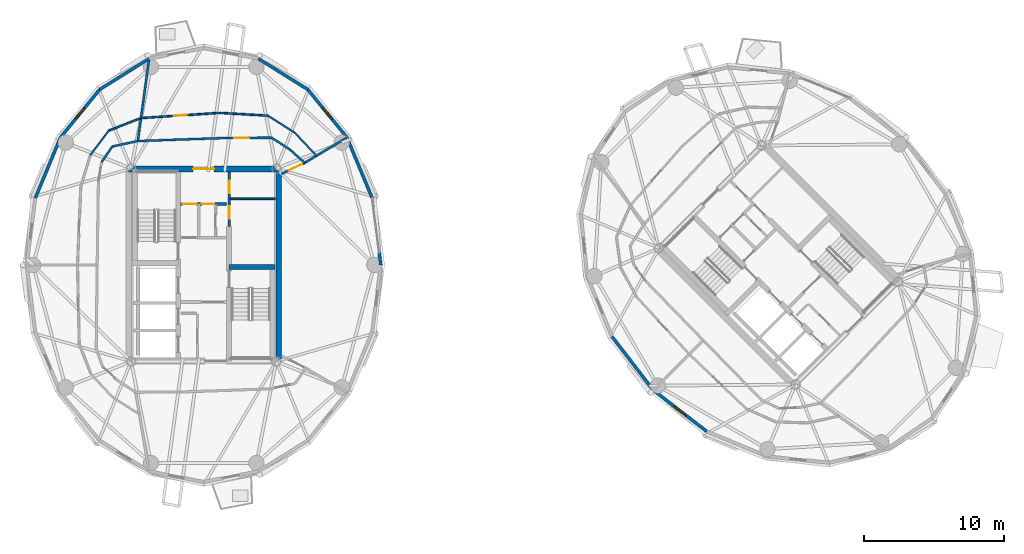
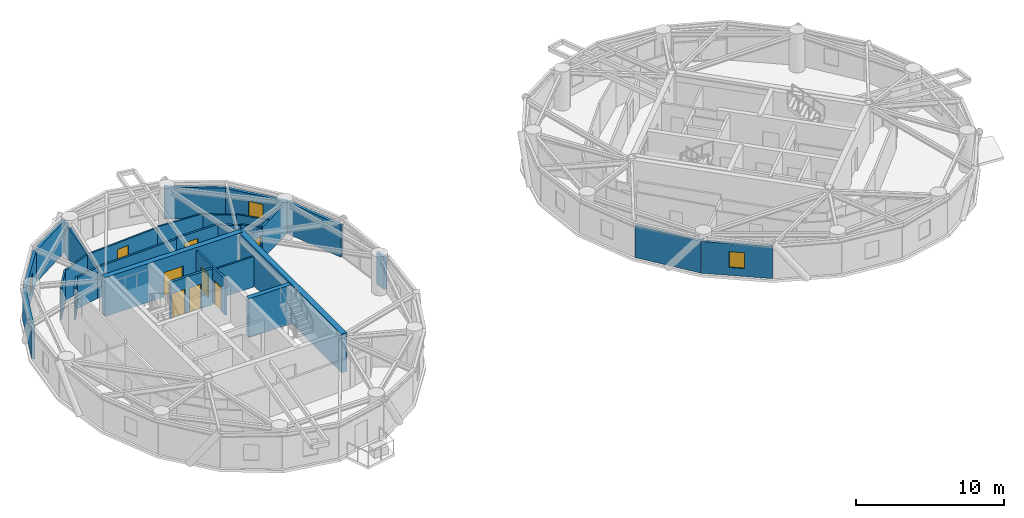
# One storey, part 10 of 17: 30 walls, 8 doors, 3 windows, 11 openings.
"""IFC4 building model written with IfcOpenShell, lengths in metres."""

from ifc_helpers import new_model, si_unit, direction, frame, frame_2d, origin, place, context, subcontext, project, spatial, rectangle, extrude, source, transform, mapped, material, layer, layer_set, type_object, element, fill, save


model = new_model("IFC4")

# Units and contexts
model_context = context("Model", 3, precision=1e-05, world=origin(), true_north=direction((0.0, 1.0)))
body_context = subcontext(model_context, "Body", "Model", "MODEL_VIEW")
ifc_project = project(units=[si_unit("LENGTHUNIT", "METRE"), si_unit("AREAUNIT", "SQUARE_METRE"), si_unit("VOLUMEUNIT", "CUBIC_METRE"), si_unit("PLANEANGLEUNIT", "RADIAN"), si_unit("MASSUNIT", "GRAM", prefix="KILO")], contexts=[model_context])

# Site, building, storey
site_placement = place(None, origin())
site = spatial("IfcSite", under=ifc_project, at=site_placement, CompositionType="ELEMENT")
building_placement = place(site_placement, origin())
building = spatial("IfcBuilding", under=site, at=building_placement, Name="Cununo Teusaquillo Station Towers", CompositionType="ELEMENT")
storey_placement = place(building_placement, frame((0.0, 0.0, 222.85009765625)))
storey = spatial("IfcBuildingStorey", under=building, at=storey_placement, Name="L71", CompositionType="ELEMENT", Elevation=222.85009765625)

# Walls
ifc_material_1 = material(Name="Concrete C50/60", Category="concrete")
ifc_layer_1 = layer(ifc_material_1, 0.35009765625)
ifc_layer_set_1 = layer_set([ifc_layer_1], Name="Concrete C50/60")
wall_type_1 = type_object("IfcWallType", Name="WL-CORE-350", PredefinedType="SHEAR", material=ifc_layer_set_1)
wall_1_placement = place(storey_placement, frame((18.31494140625, 24.344970703125, 0.0), z_axis=(0.0, 0.0, 1.0), x_axis=(1.0, 0.0, 0.0)))
element("IfcWall", 1, at=wall_1_placement, inside=storey, type_object=wall_type_1, Name="L71 Tower A Core Shear Wall ST2N", PredefinedType="SHEAR", context=body_context, shape_type="SweptSolid", body=[
    extrude(rectangle(XDim=3.28515625, YDim=0.35009765625, at=frame_2d((1.642578125, 0.0))), origin(), (0.0, 0.0, 1.0), 3.199951171875),
])
ifc_material_2 = material(Name="Concrete C50/60", Category="concrete")
ifc_layer_2 = layer(ifc_material_2, 0.39990234375)
ifc_layer_set_2 = layer_set([ifc_layer_2], Name="Concrete C50/60")
wall_type_2 = type_object("IfcWallType", Name="WL-CORE-400", PredefinedType="SHEAR", material=ifc_layer_set_2)
wall_2_placement = place(storey_placement, frame((21.85009765625, 17.449951171875, 0.0), z_axis=(0.0, 0.0, 1.0), x_axis=(0.0, 1.0, 0.0)))
element("IfcWall", 2, at=wall_2_placement, inside=storey, type_object=wall_type_2, Name="L71 Tower A Core Shear Wall E", PredefinedType="SHEAR", context=body_context, shape_type="SweptSolid", body=[
    extrude(rectangle(XDim=14.10009765625, YDim=0.39990234375, at=frame_2d((7.050048828125, 0.0))), origin(), (0.0, 0.0, 1.0), 3.199951171875),
])

# Wall, opening, door
wall_3_placement = place(storey_placement, frame((11.14990234375, 31.35009765625, 0.0), z_axis=(0.0, 0.0, 1.0), x_axis=(1.0, 0.0, 0.0)))
wall_3 = element("IfcWall", 3, at=wall_3_placement, inside=storey, type_object=wall_type_2, Name="L71 Tower A Core Shear Wall N", PredefinedType="SHEAR", context=body_context, shape_type="SweptSolid", body=[
    extrude(rectangle(XDim=10.7001953125, YDim=0.39990234375, at=frame_2d((5.35009765625, 0.0))), origin(), (0.0, 0.0, 1.0), 3.199951171875),
])
shared_shape_1 = source(origin(), body_context, "Body", "SweptSolid", [
    extrude(rectangle(XDim=1.5, YDim=2.02001953125, at=frame_2d((0.75, 1.010009765625))), frame((0.0, 0.2099609375, 0.0), z_axis=(0.0, -1.0, 0.0), x_axis=(1.0, 0.0, 0.0)), (0.0, 0.0, 1.0), 0.419921875),
])
opening_1_placement = place(wall_3_placement, frame((4.60009765625, 0.0, 0.0)))
opening_1 = element("IfcOpeningElement", 4, at=opening_1_placement, cuts=wall_3, Name="Opening D-LB1", PredefinedType="OPENING", context=body_context, shape_type="MappedRepresentation", body=[
    mapped(shared_shape_1, transform((0.0, 0.0, 0.0), x_axis=(1.0, 0.0, 0.0), y_axis=(0.0, 1.0, 0.0), z_axis=(0.0, 0.0, 1.0), scale=1.0)),
])
ifc_material_3 = material(Name="Galvanised fire-rated hollow steel door assembly", Category="steel")
door_type_1 = type_object("IfcDoorType", Name="DR-LOBBY-1500", OperationType="DOUBLE_DOOR_SINGLE_SWING", PredefinedType="DOOR", material=ifc_material_3)
shared_shape_2 = source(origin(), body_context, "Body", "SweptSolid", [
    extrude(rectangle(XDim=1.5, YDim=2.02001953125, at=frame_2d((0.75, 1.010009765625))), frame((0.0, 0.02490234375, 0.0), z_axis=(0.0, -1.0, 0.0), x_axis=(1.0, 0.0, 0.0)), (0.0, 0.0, 1.0), 0.050048828125),
])
door_1_placement = place(opening_1_placement, origin())
door_1 = element("IfcDoor", 5, at=door_1_placement, inside=storey, type_object=door_type_1, Name="L71 Tower A North Core Lift Lobby Door", OperationType="DOUBLE_DOOR_SINGLE_SWING", OverallHeight=2.02001953125, OverallWidth=1.5, PredefinedType="DOOR", context=body_context, shape_type="MappedRepresentation", body=[
    mapped(shared_shape_2, transform((0.0, 0.0, 0.0), x_axis=(1.0, 0.0, 0.0), y_axis=(0.0, 1.0, 0.0), z_axis=(0.0, 0.0, 1.0), scale=1.0)),
])
fill(opening_1, door_1)

# Walls
ifc_material_4 = material(Name="Precast concrete C40/50", Category="concrete")
ifc_layer_3 = layer(ifc_material_4, 0.219970703125)
ifc_layer_set_3 = layer_set([ifc_layer_3], Name="Precast concrete C40/50")
wall_type_3 = type_object("IfcWallType", Name="WL-EXT-220", PredefinedType="SOLIDWALL", material=ifc_layer_set_3)
wall_4_placement = place(storey_placement, frame((29.018310546875, 25.36279296875, 0.0), z_axis=(0.0, 0.0, 1.0), x_axis=(0.128247365719, -0.991742211054, 0.0)))
element("IfcWall", 6, at=wall_4_placement, inside=storey, type_object=wall_type_3, Name="L71 Tower A Column Pier Cladding Wall C00-PB", PredefinedType="SOLIDWALL", context=body_context, shape_type="SweptSolid", body=[
    extrude(rectangle(XDim=0.869873046875, YDim=0.219970703125, at=frame_2d((0.43505859375, 0.0))), origin(), (0.0, 0.0, 1.0), 2.61181640625),
])
wall_5_placement = place(storey_placement, frame((26.718017578125, 33.593017578125, 0.0), z_axis=(0.0, 0.0, 1.0), x_axis=(0.384036305194, -0.923317993052, 0.0)))
element("IfcWall", 7, at=wall_5_placement, inside=storey, type_object=wall_type_3, Name="L71 Tower A Exterior Facade Wall C01", PredefinedType="SOLIDWALL", context=body_context, shape_type="SweptSolid", body=[
    extrude(rectangle(XDim=4.670654296875, YDim=0.219970703125, at=frame_2d((2.33544921875, 0.0))), origin(), (0.0, 0.0, 1.0), 2.61181640625),
])

# Wall, opening, window
wall_6_placement = place(storey_placement, frame((23.923583984375, 37.015380859375, 0.0), z_axis=(0.0, 0.0, 1.0), x_axis=(0.632467166636, -0.774587169483, 0.0)))
wall_6 = element("IfcWall", 8, at=wall_6_placement, inside=storey, type_object=wall_type_3, Name="L71 Tower A Exterior Facade Wall C02", PredefinedType="SOLIDWALL", context=body_context, shape_type="SweptSolid", body=[
    extrude(rectangle(XDim=4.418212890625, YDim=0.219970703125, at=frame_2d((2.208984375, 0.0))), origin(), (0.0, 0.0, 1.0), 2.61181640625),
])
shared_shape_3 = source(origin(), body_context, "Body", "SweptSolid", [
    extrude(rectangle(XDim=1.050048828125, YDim=1.300048828125, at=frame_2d((0.52490234375, 0.64990234375))), frame((0.0, 0.119873046875, 0.0), z_axis=(0.0, -1.0, 0.0), x_axis=(1.0, 0.0, 0.0)), (0.0, 0.0, 1.0), 0.239990234375),
])
opening_2_placement = place(wall_6_placement, frame((1.68408203125, 0.0, 0.64990234375)))
opening_2 = element("IfcOpeningElement", 9, at=opening_2_placement, cuts=wall_6, Name="Opening WN-04", PredefinedType="OPENING", context=body_context, shape_type="MappedRepresentation", body=[
    mapped(shared_shape_3, transform((0.0, 0.0, 0.0), x_axis=(1.0, 0.0, 0.0), y_axis=(0.0, 1.0, 0.0), z_axis=(0.0, 0.0, 1.0), scale=1.0)),
])
ifc_material_5 = material(Name="Operable acoustic tinted low-E double glazing", Category="glass")
window_type = type_object("IfcWindowType", Name="WIN-BAL-1050", PartitioningType="SINGLE_PANEL", PredefinedType="WINDOW", material=ifc_material_5)
shared_shape_4 = source(origin(), body_context, "Body", "SweptSolid", [
    extrude(rectangle(XDim=1.050048828125, YDim=1.300048828125, at=frame_2d((0.52490234375, 0.64990234375))), frame((0.0, 0.030029296875, 0.0), z_axis=(0.0, -1.0, 0.0), x_axis=(1.0, 0.0, 0.0)), (0.0, 0.0, 1.0), 0.06005859375),
])
window_1_placement = place(opening_2_placement, origin())
window_1 = element("IfcWindow", 10, at=window_1_placement, inside=storey, type_object=window_type, Name="L71 Tower A Facade Window C02", OverallHeight=1.300048828125, OverallWidth=1.050048828125, PartitioningType="SINGLE_PANEL", PredefinedType="WINDOW", context=body_context, shape_type="MappedRepresentation", body=[
    mapped(shared_shape_4, transform((0.0, 0.0, 0.0), x_axis=(1.0, 0.0, 0.0), y_axis=(0.0, 1.0, 0.0), z_axis=(0.0, 0.0, 1.0), scale=1.0)),
])
fill(opening_2, window_1)

# Walls
for number, where, z_axis, x_axis, name in (
    (11, (20.40283203125, 39.212890625, 0.0), (0.0, 0.0, 1.0), (0.848318713376, -0.529485939886, 0.0), "L71 Tower A Exterior Facade Wall C03"),
    (12, (9.076416015625, 37.015380859375, 0.0), (0.0, 0.0, 1.0), (0.848318713376, 0.529485939886, 0.0), "L71 Tower A Exterior Facade Wall C06"),
):
    element("IfcWall", number, at=place(storey_placement, frame(where, z_axis=z_axis, x_axis=x_axis)), inside=storey, type_object=wall_type_3, Name=name, PredefinedType="SOLIDWALL", context=body_context, shape_type="SweptSolid", body=[
        extrude(rectangle(XDim=4.150390625, YDim=0.219970703125, at=frame_2d((2.0751953125, 0.0))), origin(), (0.0, 0.0, 1.0), 2.61181640625),
    ])

# Wall, opening, window
wall_7_placement = place(storey_placement, frame((6.281982421875, 33.593017578125, 0.0), z_axis=(0.0, 0.0, 1.0), x_axis=(0.632467166636, 0.774587169483, 0.0)))
wall_7 = element("IfcWall", 13, at=wall_7_placement, inside=storey, type_object=wall_type_3, Name="L71 Tower A Exterior Facade Wall C07", PredefinedType="SOLIDWALL", context=body_context, shape_type="SweptSolid", body=[
    extrude(rectangle(XDim=4.418212890625, YDim=0.219970703125, at=frame_2d((2.208984375, 0.0))), origin(), (0.0, 0.0, 1.0), 2.61181640625),
])
opening_3_placement = place(wall_7_placement, frame((1.68408203125, 0.0, 0.64990234375)))
opening_3 = element("IfcOpeningElement", 14, at=opening_3_placement, cuts=wall_7, Name="Opening WN-04", PredefinedType="OPENING", context=body_context, shape_type="MappedRepresentation", body=[
    mapped(shared_shape_3, transform((0.0, 0.0, 0.0), x_axis=(1.0, 0.0, 0.0), y_axis=(0.0, 1.0, 0.0), z_axis=(0.0, 0.0, 1.0), scale=1.0)),
])
window_2_placement = place(opening_3_placement, origin())
window_2 = element("IfcWindow", 15, at=window_2_placement, inside=storey, type_object=window_type, Name="L71 Tower A Facade Window C07", OverallHeight=1.300048828125, OverallWidth=1.050048828125, PartitioningType="SINGLE_PANEL", PredefinedType="WINDOW", context=body_context, shape_type="MappedRepresentation", body=[
    mapped(shared_shape_4, transform((0.0, 0.0, 0.0), x_axis=(1.0, 0.0, 0.0), y_axis=(0.0, 1.0, 0.0), z_axis=(0.0, 0.0, 1.0), scale=1.0)),
])
fill(opening_3, window_2)

# Walls
wall_8_placement = place(storey_placement, frame((4.48828125, 29.280517578125, 0.0), z_axis=(0.0, 0.0, 1.0), x_axis=(0.384036305194, 0.923317993052, 0.0)))
element("IfcWall", 16, at=wall_8_placement, inside=storey, type_object=wall_type_3, Name="L71 Tower A Exterior Facade Wall C08", PredefinedType="SOLIDWALL", context=body_context, shape_type="SweptSolid", body=[
    extrude(rectangle(XDim=4.670654296875, YDim=0.219970703125, at=frame_2d((2.33544921875, 0.0))), origin(), (0.0, 0.0, 1.0), 2.61181640625),
])
wall_9_placement = place(storey_placement, frame((48.569091796875, 15.569091796875, 0.0), z_axis=(0.0, 0.0, 1.0), x_axis=(-0.610523083886, 0.791998462147, 0.0)))
element("IfcWall", 17, at=wall_9_placement, inside=storey, type_object=wall_type_3, Name="L71 Tower B Exterior Facade Wall C09", PredefinedType="SOLIDWALL", context=body_context, shape_type="SweptSolid", body=[
    extrude(rectangle(XDim=4.8203125, YDim=0.219970703125, at=frame_2d((2.41015625, 0.0))), origin(), (0.0, 0.0, 1.0), 2.61181640625),
])

# Wall, opening, window
wall_10_placement = place(storey_placement, frame((52.38671875, 12.626220703125, 0.0), z_axis=(0.0, 0.0, 1.0), x_axis=(-0.791998462147, 0.610523083886, 0.0)))
wall_10 = element("IfcWall", 18, at=wall_10_placement, inside=storey, type_object=wall_type_3, Name="L71 Tower B Exterior Facade Wall C10", PredefinedType="SOLIDWALL", context=body_context, shape_type="SweptSolid", body=[
    extrude(rectangle(XDim=4.8203125, YDim=0.219970703125, at=frame_2d((2.41015625, 0.0))), origin(), (0.0, 0.0, 1.0), 2.61181640625),
])
opening_4_placement = place(wall_10_placement, frame((1.885009765625, 0.0, 0.64990234375)))
opening_4 = element("IfcOpeningElement", 19, at=opening_4_placement, cuts=wall_10, Name="Opening WN-04", PredefinedType="OPENING", context=body_context, shape_type="MappedRepresentation", body=[
    mapped(shared_shape_3, transform((0.0, 0.0, 0.0), x_axis=(1.0, 0.0, 0.0), y_axis=(0.0, 1.0, 0.0), z_axis=(0.0, 0.0, 1.0), scale=1.0)),
])
window_3_placement = place(opening_4_placement, origin())
window_3 = element("IfcWindow", 20, at=window_3_placement, inside=storey, type_object=window_type, Name="L71 Tower B Facade Window C10", OverallHeight=1.300048828125, OverallWidth=1.050048828125, PartitioningType="SINGLE_PANEL", PredefinedType="WINDOW", context=body_context, shape_type="MappedRepresentation", body=[
    mapped(shared_shape_4, transform((0.0, 0.0, 0.0), x_axis=(1.0, 0.0, 0.0), y_axis=(0.0, 1.0, 0.0), z_axis=(0.0, 0.0, 1.0), scale=1.0)),
])
fill(opening_4, window_3)

# Walls
ifc_material_6 = material(Name="Fire-rated gypsum plasterboard partition assembly", Category="gypsum")
ifc_layer_4 = layer(ifc_material_6, 0.125)
ifc_layer_set_4 = layer_set([ifc_layer_4], Name="Fire-rated gypsum plasterboard partition assembly")
wall_type_4 = type_object("IfcWallType", Name="WL-PART-125", PredefinedType="PARTITIONING", material=ifc_layer_set_4)
wall_11_placement = place(storey_placement, frame((18.3798828125, 29.219970703125, 0.0), z_axis=(0.0, 0.0, 1.0), x_axis=(1.0, 0.0, 0.0)))
element("IfcWall", 21, at=wall_11_placement, inside=storey, type_object=wall_type_4, Name="L71 Tower A Reclaimed Bay Divider Wall", PredefinedType="PARTITIONING", context=body_context, shape_type="SweptSolid", body=[
    extrude(rectangle(XDim=3.22021484375, YDim=0.125, at=frame_2d((1.610107421875, 0.0))), origin(), (0.0, 0.0, 1.0), 2.511962890625),
])
wall_12_placement = place(storey_placement, frame((24.54150390625, 32.288330078125, 0.0), z_axis=(0.0, 0.0, 1.0), x_axis=(-0.68501091047, 0.72853280814, 0.0)))
element("IfcWall", 22, at=wall_12_placement, inside=storey, type_object=wall_type_4, Name="L71 Tower A 300-Metre Panoramic Dining Hall Concentric Partition Wall C02", PredefinedType="PARTITIONING", context=body_context, shape_type="SweptSolid", body=[
    extrude(rectangle(XDim=2.2607421875, YDim=0.125, at=frame_2d((1.13037109375, 0.0))), origin(), (0.0, 0.0, 1.0), 2.61181640625),
])
wall_13_placement = place(storey_placement, frame((22.992919921875, 33.935302734375, 0.0), z_axis=(0.0, 0.0, 1.0), x_axis=(-0.844312558894, 0.535851008112, 0.0)))
element("IfcWall", 23, at=wall_13_placement, inside=storey, type_object=wall_type_4, Name="L71 Tower A 300-Metre Panoramic Dining Hall Concentric Partition Wall C03", PredefinedType="PARTITIONING", context=body_context, shape_type="SweptSolid", body=[
    extrude(rectangle(XDim=2.267578125, YDim=0.125, at=frame_2d((1.1337890625, 0.0))), origin(), (0.0, 0.0, 1.0), 2.544921875),
])
wall_14_placement = place(storey_placement, frame((21.078369140625, 35.150390625, 0.0), z_axis=(0.0, 0.0, 1.0), x_axis=(-0.99833900121, 0.057612834184, 0.0)))
element("IfcWall", 24, at=wall_14_placement, inside=storey, type_object=wall_type_4, Name="L71 Tower A 300-Metre Panoramic Dining Hall Concentric Partition Wall C04", PredefinedType="PARTITIONING", context=body_context, shape_type="SweptSolid", body=[
    extrude(rectangle(XDim=3.445068359375, YDim=0.125, at=frame_2d((1.72265625, 0.0))), origin(), (0.0, 0.0, 1.0), 2.61181640625),
])

# Wall, opening, door
wall_15_placement = place(storey_placement, frame((17.638916015625, 35.348876953125, 0.0), z_axis=(0.0, 0.0, 1.0), x_axis=(-0.997849042159, -0.065553711275, 0.0)))
wall_15 = element("IfcWall", 25, at=wall_15_placement, inside=storey, type_object=wall_type_4, Name="L71 Tower A 300-Metre Panoramic Dining Hall Concentric Partition Wall C05", PredefinedType="PARTITIONING", context=body_context, shape_type="SweptSolid", body=[
    extrude(rectangle(XDim=5.623779296875, YDim=0.125, at=frame_2d((2.81201171875, 0.0))), origin(), (0.0, 0.0, 1.0), 2.544921875),
])
shared_shape_5 = source(origin(), body_context, "Body", "SweptSolid", [
    extrude(rectangle(XDim=0.89990234375, YDim=2.0048828125, at=frame_2d((0.449951171875, 1.00244140625))), frame((0.0, 0.072509765625, 0.0), z_axis=(0.0, -1.0, 0.0), x_axis=(1.0, 0.0, 0.0)), (0.0, 0.0, 1.0), 0.14501953125),
])
opening_5_placement = place(wall_15_placement, frame((2.36181640625, 0.0, 0.0)))
opening_5 = element("IfcOpeningElement", 26, at=opening_5_placement, cuts=wall_15, Name="Opening D-IN1", PredefinedType="OPENING", context=body_context, shape_type="MappedRepresentation", body=[
    mapped(shared_shape_5, transform((0.0, 0.0, 0.0), x_axis=(1.0, 0.0, 0.0), y_axis=(0.0, 1.0, 0.0), z_axis=(0.0, 0.0, 1.0), scale=1.0)),
])
ifc_material_7 = material(Name="Acoustic solid-core hardwood leaf assembly", Category="wood")
door_type_2 = type_object("IfcDoorType", Name="DR-INT-900", OperationType="NOTDEFINED", PredefinedType="DOOR", material=ifc_material_7)
shared_shape_6 = source(origin(), body_context, "Body", "SweptSolid", [
    extrude(rectangle(XDim=0.89990234375, YDim=2.0048828125, at=frame_2d((0.449951171875, 1.00244140625))), frame((0.0, 0.02490234375, 0.0), z_axis=(0.0, -1.0, 0.0), x_axis=(1.0, 0.0, 0.0)), (0.0, 0.0, 1.0), 0.050048828125),
])
door_2_placement = place(opening_5_placement, origin())
door_2 = element("IfcDoor", 27, at=door_2_placement, inside=storey, type_object=door_type_2, Name="L71 Tower A 300-Metre Panoramic Dining Hall Connecting Door", OperationType="SINGLE_SWING_RIGHT", OverallHeight=2.0048828125, OverallWidth=0.89990234375, PredefinedType="DOOR", context=body_context, shape_type="MappedRepresentation", body=[
    mapped(shared_shape_6, transform((0.0, 0.0, 0.0), x_axis=(1.0, 0.0, 0.0), y_axis=(0.0, 1.0, 0.0), z_axis=(0.0, 0.0, 1.0), scale=1.0)),
])
fill(opening_5, door_2)

# Walls
wall_16_placement = place(storey_placement, frame((12.02734375, 34.980224609375, 0.0), z_axis=(0.0, 0.0, 1.0), x_axis=(-0.931701760683, -0.363224213317, 0.0)))
element("IfcWall", 28, at=wall_16_placement, inside=storey, type_object=wall_type_4, Name="L71 Tower A Chef Tasting Counter & Wine Vault Concentric Partition Wall C06", PredefinedType="PARTITIONING", context=body_context, shape_type="SweptSolid", body=[
    extrude(rectangle(XDim=2.468017578125, YDim=0.125, at=frame_2d((1.23388671875, 0.0))), origin(), (0.0, 0.0, 1.0), 2.544921875),
])
wall_17_placement = place(storey_placement, frame((9.727783203125, 34.083740234375, 0.0), z_axis=(0.0, 0.0, 1.0), x_axis=(-0.602426891997, -0.798174066103, 0.0)))
element("IfcWall", 29, at=wall_17_placement, inside=storey, type_object=wall_type_4, Name="L71 Tower A Chef Tasting Counter & Wine Vault Concentric Partition Wall C07", PredefinedType="PARTITIONING", context=body_context, shape_type="SweptSolid", body=[
    extrude(rectangle(XDim=2.20263671875, YDim=0.125, at=frame_2d((1.101318359375, 0.0))), origin(), (0.0, 0.0, 1.0), 2.61181640625),
])
ifc_material_8 = material(Name="Fire-rated gypsum plasterboard partition assembly", Category="gypsum")
ifc_layer_5 = layer(ifc_material_8, 0.14990234375)
ifc_layer_set_5 = layer_set([ifc_layer_5], Name="Fire-rated gypsum plasterboard partition assembly")
wall_type_5 = type_object("IfcWallType", Name="WL-PART-150", PredefinedType="PARTITIONING", material=ifc_layer_set_5)
wall_18_placement = place(storey_placement, frame((23.701416015625, 31.78564453125, 0.0), z_axis=(0.0, 0.0, 1.0), x_axis=(-0.743742806382, 0.668465883913, 0.0)))
element("IfcWall", 30, at=wall_18_placement, inside=storey, type_object=wall_type_5, Name="L71 Tower A Corridor Ring Wall C02", PredefinedType="PARTITIONING", context=body_context, shape_type="SweptSolid", body=[
    extrude(rectangle(XDim=1.43359375, YDim=0.14990234375, at=frame_2d((0.716796875, 0.0))), origin(), (0.0, 0.0, 1.0), 2.61181640625),
])
wall_19_placement = place(storey_placement, frame((22.63525390625, 32.743896484375, 0.0), z_axis=(0.0, 0.0, 1.0), x_axis=(-0.840119270642, 0.542401706391, 0.0)))
element("IfcWall", 31, at=wall_19_placement, inside=storey, type_object=wall_type_5, Name="L71 Tower A Corridor Ring Wall C03", PredefinedType="PARTITIONING", context=body_context, shape_type="SweptSolid", body=[
    extrude(rectangle(XDim=1.53759765625, YDim=0.14990234375, at=frame_2d((0.768798828125, 0.0))), origin(), (0.0, 0.0, 1.0), 2.544921875),
])

# Wall, opening, door
wall_20_placement = place(storey_placement, frame((21.343505859375, 33.577880859375, 0.0), z_axis=(0.0, 0.0, 1.0), x_axis=(-0.999984243152, -0.005613684, 0.0)))
wall_20 = element("IfcWall", 32, at=wall_20_placement, inside=storey, type_object=wall_type_5, Name="L71 Tower A Corridor Ring Wall C04", PredefinedType="PARTITIONING", context=body_context, shape_type="SweptSolid", body=[
    extrude(rectangle(XDim=3.26171875, YDim=0.14990234375, at=frame_2d((1.630859375, 0.0))), origin(), (0.0, 0.0, 1.0), 2.61181640625),
])
shared_shape_7 = source(origin(), body_context, "Body", "SweptSolid", [
    extrude(rectangle(XDim=1.050048828125, YDim=2.014892578125, at=frame_2d((0.52490234375, 1.00732421875))), frame((0.0, 0.0849609375, 0.0), z_axis=(0.0, -1.0, 0.0), x_axis=(1.0, 0.0, 0.0)), (0.0, 0.0, 1.0), 0.169921875),
])
opening_6_placement = place(wall_20_placement, frame((1.598876953125, 0.0, 0.0)))
opening_6 = element("IfcOpeningElement", 33, at=opening_6_placement, cuts=wall_20, Name="Opening D-SU1", PredefinedType="OPENING", context=body_context, shape_type="MappedRepresentation", body=[
    mapped(shared_shape_7, transform((0.0, 0.0, 0.0), x_axis=(1.0, 0.0, 0.0), y_axis=(0.0, 1.0, 0.0), z_axis=(0.0, 0.0, 1.0), scale=1.0)),
])
ifc_material_9 = material(Name="Acoustic solid-core hardwood leaf assembly", Category="wood")
door_type_3 = type_object("IfcDoorType", Name="DR-SUITE-1050", OperationType="NOTDEFINED", PredefinedType="DOOR", material=ifc_material_9)
shared_shape_8 = source(origin(), body_context, "Body", "SweptSolid", [
    extrude(rectangle(XDim=1.050048828125, YDim=2.014892578125, at=frame_2d((0.52490234375, 1.00732421875))), frame((0.0, 0.02490234375, 0.0), z_axis=(0.0, -1.0, 0.0), x_axis=(1.0, 0.0, 0.0)), (0.0, 0.0, 1.0), 0.050048828125),
])
door_3_placement = place(opening_6_placement, origin())
door_3 = element("IfcDoor", 34, at=door_3_placement, inside=storey, type_object=door_type_3, Name="L71 Tower A 300-Metre Panoramic Dining Hall Entrance Door", OperationType="SINGLE_SWING_LEFT", OverallHeight=2.014892578125, OverallWidth=1.050048828125, PredefinedType="DOOR", context=body_context, shape_type="MappedRepresentation", body=[
    mapped(shared_shape_8, transform((0.0, 0.0, 0.0), x_axis=(1.0, 0.0, 0.0), y_axis=(0.0, 1.0, 0.0), z_axis=(0.0, 0.0, 1.0), scale=1.0)),
])
fill(opening_6, door_3)

# Walls
wall_21_placement = place(storey_placement, frame((18.081787109375, 33.5595703125, 0.0), z_axis=(0.0, 0.0, 1.0), x_axis=(-0.999399009709, -0.034664382185, 0.0)))
element("IfcWall", 35, at=wall_21_placement, inside=storey, type_object=wall_type_5, Name="L71 Tower A Corridor Ring Wall C05", PredefinedType="PARTITIONING", context=body_context, shape_type="SweptSolid", body=[
    extrude(rectangle(XDim=6.2822265625, YDim=0.14990234375, at=frame_2d((3.14111328125, 0.0))), origin(), (0.0, 0.0, 1.0), 2.544921875),
])
wall_22_placement = place(storey_placement, frame((11.80322265625, 33.341796875, 0.0), z_axis=(0.0, 0.0, 1.0), x_axis=(-0.977750742783, -0.209770076483, 0.0)))
element("IfcWall", 36, at=wall_22_placement, inside=storey, type_object=wall_type_5, Name="L71 Tower A Corridor Ring Wall C06", PredefinedType="PARTITIONING", context=body_context, shape_type="SweptSolid", body=[
    extrude(rectangle(XDim=1.867919921875, YDim=0.14990234375, at=frame_2d((0.93408203125, 0.0))), origin(), (0.0, 0.0, 1.0), 2.544921875),
])
wall_23_placement = place(storey_placement, frame((9.976806640625, 32.949951171875, 0.0), z_axis=(0.0, 0.0, 1.0), x_axis=(-0.563291804539, -0.826258036535, 0.0)))
element("IfcWall", 37, at=wall_23_placement, inside=storey, type_object=wall_type_5, Name="L71 Tower A Corridor Ring Wall C07", PredefinedType="PARTITIONING", context=body_context, shape_type="SweptSolid", body=[
    extrude(rectangle(XDim=1.34619140625, YDim=0.14990234375, at=frame_2d((0.673095703125, 0.0))), origin(), (0.0, 0.0, 1.0), 2.61181640625),
])

# Wall, openings, doors
ifc_material_10 = material(Name="Fire-rated gypsum plasterboard partition assembly", Category="gypsum")
ifc_layer_6 = layer(ifc_material_10, 0.159912109375)
ifc_layer_set_6 = layer_set([ifc_layer_6], Name="Fire-rated gypsum plasterboard partition assembly")
wall_type_6 = type_object("IfcWallType", Name="WL-PART-160", PredefinedType="PARTITIONING", material=ifc_layer_set_6)
wall_24_placement = place(storey_placement, frame((18.31494140625, 27.25, 0.0), z_axis=(0.0, 0.0, 1.0), x_axis=(0.0, 1.0, 0.0)))
wall_24 = element("IfcWall", 38, at=wall_24_placement, inside=storey, type_object=wall_type_6, Name="L71 Tower A Reclaimed Core Bay Entry Wall", PredefinedType="PARTITIONING", context=body_context, shape_type="SweptSolid", body=[
    extrude(rectangle(XDim=3.89990234375, YDim=0.159912109375, at=frame_2d((1.949951171875, 0.0))), origin(), (0.0, 0.0, 1.0), 2.974853515625),
])
shared_shape_9 = source(origin(), body_context, "Body", "SweptSolid", [
    extrude(rectangle(XDim=0.89990234375, YDim=2.0048828125, at=frame_2d((0.449951171875, 1.00244140625))), frame((0.0, 0.08984375, 0.0), z_axis=(0.0, -1.0, 0.0), x_axis=(1.0, 0.0, 0.0)), (0.0, 0.0, 1.0), 0.179931640625),
])
opening_7_placement = place(wall_24_placement, frame((0.550048828125, 0.0, 0.0)))
opening_7 = element("IfcOpeningElement", 39, at=opening_7_placement, cuts=wall_24, Name="Opening D-IN1", PredefinedType="OPENING", context=body_context, shape_type="MappedRepresentation", body=[
    mapped(shared_shape_9, transform((0.0, 0.0, 0.0), x_axis=(1.0, 0.0, 0.0), y_axis=(0.0, 1.0, 0.0), z_axis=(0.0, 0.0, 1.0), scale=1.0)),
])
opening_8_placement = place(wall_24_placement, frame((2.35009765625, 0.0, 0.0)))
opening_8 = element("IfcOpeningElement", 40, at=opening_8_placement, cuts=wall_24, Name="Opening D-IN1", PredefinedType="OPENING", context=body_context, shape_type="MappedRepresentation", body=[
    mapped(shared_shape_9, transform((0.0, 0.0, 0.0), x_axis=(1.0, 0.0, 0.0), y_axis=(0.0, 1.0, 0.0), z_axis=(0.0, 0.0, 1.0), scale=1.0)),
])
door_4_placement = place(opening_7_placement, origin())
door_4 = element("IfcDoor", 41, at=door_4_placement, inside=storey, type_object=door_type_2, Name="L71 Tower A Reclaimed Core Study Door", OperationType="SINGLE_SWING_LEFT", OverallHeight=2.0048828125, OverallWidth=0.89990234375, PredefinedType="DOOR", context=body_context, shape_type="MappedRepresentation", body=[
    mapped(shared_shape_6, transform((0.0, 0.0, 0.0), x_axis=(1.0, 0.0, 0.0), y_axis=(0.0, 1.0, 0.0), z_axis=(0.0, 0.0, 1.0), scale=1.0)),
])
fill(opening_7, door_4)
door_5_placement = place(opening_8_placement, origin())
door_5 = element("IfcDoor", 42, at=door_5_placement, inside=storey, type_object=door_type_2, Name="L71 Tower A Reclaimed Core Pantry Door", OperationType="SINGLE_SWING_RIGHT", OverallHeight=2.0048828125, OverallWidth=0.89990234375, PredefinedType="DOOR", context=body_context, shape_type="MappedRepresentation", body=[
    mapped(shared_shape_6, transform((0.0, 0.0, 0.0), x_axis=(1.0, 0.0, 0.0), y_axis=(0.0, 1.0, 0.0), z_axis=(0.0, 0.0, 1.0), scale=1.0)),
])
fill(opening_8, door_5)

# Walls
wall_25_placement = place(storey_placement, frame((23.701416015625, 31.78564453125, 0.0), z_axis=(0.0, 0.0, 1.0), x_axis=(0.858059206709, 0.513550774298, 0.0)))
element("IfcWall", 43, at=wall_25_placement, inside=storey, type_object=wall_type_6, Name="L71 Tower A Radial Suite Partition R01", PredefinedType="PARTITIONING", context=body_context, shape_type="SweptSolid", body=[
    extrude(rectangle(XDim=3.49658203125, YDim=0.159912109375, at=frame_2d((1.748291015625, 0.0))), origin(), (0.0, 0.0, 1.0), 2.61181640625),
])
wall_26_placement = place(storey_placement, frame((11.80322265625, 33.341796875, 0.0), z_axis=(0.0, 0.0, 1.0), x_axis=(0.135452591041, 0.990783828885, 0.0)))
element("IfcWall", 44, at=wall_26_placement, inside=storey, type_object=wall_type_6, Name="L71 Tower A Radial Suite Partition R02", PredefinedType="PARTITIONING", context=body_context, shape_type="SweptSolid", body=[
    extrude(rectangle(XDim=5.906494140625, YDim=0.159912109375, at=frame_2d((2.953125, 0.0))), origin(), (0.0, 0.0, 1.0), 2.61181640625),
])

# Wall, opening, door
wall_27_placement = place(storey_placement, frame((22.050048828125, 31.0, 0.0), z_axis=(0.0, 0.0, 1.0), x_axis=(0.903013459407, 0.429612257891, 0.0)))
wall_27 = element("IfcWall", 45, at=wall_27_placement, inside=storey, type_object=wall_type_6, Name="L71 Tower A East Salon Corridor Portal Wall NE", PredefinedType="PARTITIONING", context=body_context, shape_type="SweptSolid", body=[
    extrude(rectangle(XDim=1.82861328125, YDim=0.159912109375, at=frame_2d((0.914306640625, 0.0))), origin(), (0.0, 0.0, 1.0), 2.544921875),
])
shared_shape_10 = source(origin(), body_context, "Body", "SweptSolid", [
    extrude(rectangle(XDim=1.050048828125, YDim=2.014892578125, at=frame_2d((0.52490234375, 1.00732421875))), frame((0.0, 0.08984375, 0.0), z_axis=(0.0, -1.0, 0.0), x_axis=(1.0, 0.0, 0.0)), (0.0, 0.0, 1.0), 0.179931640625),
])
opening_9_placement = place(wall_27_placement, frame((0.57861328125, 0.0, 0.0)))
opening_9 = element("IfcOpeningElement", 46, at=opening_9_placement, cuts=wall_27, Name="Opening D-SU1", PredefinedType="OPENING", context=body_context, shape_type="MappedRepresentation", body=[
    mapped(shared_shape_10, transform((0.0, 0.0, 0.0), x_axis=(1.0, 0.0, 0.0), y_axis=(0.0, 1.0, 0.0), z_axis=(0.0, 0.0, 1.0), scale=1.0)),
])
door_6_placement = place(opening_9_placement, origin())
door_6 = element("IfcDoor", 47, at=door_6_placement, inside=storey, type_object=door_type_3, Name="L71 Tower A East Panorama Sky Salon Door NE", OperationType="SINGLE_SWING_LEFT", OverallHeight=2.014892578125, OverallWidth=1.050048828125, PredefinedType="DOOR", context=body_context, shape_type="MappedRepresentation", body=[
    mapped(shared_shape_8, transform((0.0, 0.0, 0.0), x_axis=(1.0, 0.0, 0.0), y_axis=(0.0, 1.0, 0.0), z_axis=(0.0, 0.0, 1.0), scale=1.0)),
])
fill(opening_9, door_6)

# Wall, openings, doors
ifc_material_11 = material(Name="Fire-rated gypsum plasterboard partition assembly", Category="gypsum")
ifc_layer_7 = layer(ifc_material_11, 0.199951171875)
ifc_layer_set_7 = layer_set([ifc_layer_7], Name="Fire-rated gypsum plasterboard partition assembly")
wall_type_7 = type_object("IfcWallType", Name="WL-PART-200", PredefinedType="PARTITIONING", material=ifc_layer_set_7)
wall_28_placement = place(storey_placement, frame((14.860107421875, 28.85009765625, 0.0), z_axis=(0.0, 0.0, 1.0), x_axis=(1.0, 0.0, 0.0)))
wall_28 = element("IfcWall", 48, at=wall_28_placement, inside=storey, type_object=wall_type_7, Name="L71 Tower A North Lift Lobby South Fire Wall", PredefinedType="PARTITIONING", context=body_context, shape_type="SweptSolid", body=[
    extrude(rectangle(XDim=3.27978515625, YDim=0.199951171875, at=frame_2d((1.639892578125, 0.0))), origin(), (0.0, 0.0, 1.0), 2.974853515625),
])
shared_shape_11 = source(origin(), body_context, "Body", "SweptSolid", [
    extrude(rectangle(XDim=1.0, YDim=2.014892578125, at=frame_2d((0.5, 1.00732421875))), frame((0.0, 0.10986328125, 0.0), z_axis=(0.0, -1.0, 0.0), x_axis=(1.0, 0.0, 0.0)), (0.0, 0.0, 1.0), 0.219970703125),
])
opening_10_placement = place(wall_28_placement, frame((0.139892578125, 0.0, 0.0)))
opening_10 = element("IfcOpeningElement", 49, at=opening_10_placement, cuts=wall_28, Name="Opening D-AC1", PredefinedType="OPENING", context=body_context, shape_type="MappedRepresentation", body=[
    mapped(shared_shape_11, transform((0.0, 0.0, 0.0), x_axis=(1.0, 0.0, 0.0), y_axis=(0.0, 1.0, 0.0), z_axis=(0.0, 0.0, 1.0), scale=1.0)),
])
shared_shape_12 = source(origin(), body_context, "Body", "SweptSolid", [
    extrude(rectangle(XDim=0.89990234375, YDim=2.0048828125, at=frame_2d((0.449951171875, 1.00244140625))), frame((0.0, 0.10986328125, 0.0), z_axis=(0.0, -1.0, 0.0), x_axis=(1.0, 0.0, 0.0)), (0.0, 0.0, 1.0), 0.219970703125),
])
opening_11_placement = place(wall_28_placement, frame((1.5, 0.0, 0.0)))
opening_11 = element("IfcOpeningElement", 50, at=opening_11_placement, cuts=wall_28, Name="Opening D-SR1", PredefinedType="OPENING", context=body_context, shape_type="MappedRepresentation", body=[
    mapped(shared_shape_12, transform((0.0, 0.0, 0.0), x_axis=(1.0, 0.0, 0.0), y_axis=(0.0, 1.0, 0.0), z_axis=(0.0, 0.0, 1.0), scale=1.0)),
])
ifc_material_12 = material(Name="Galvanised fire-rated hollow steel door assembly", Category="steel")
door_type_4 = type_object("IfcDoorType", Name="DR-STORE-900", OperationType="NOTDEFINED", PredefinedType="DOOR", material=ifc_material_12)
door_7_placement = place(opening_11_placement, origin())
door_7 = element("IfcDoor", 51, at=door_7_placement, inside=storey, type_object=door_type_4, Name="L71 Tower A Core Housekeeping Store Door", OperationType="SINGLE_SWING_LEFT", OverallHeight=2.0048828125, OverallWidth=0.89990234375, PredefinedType="DOOR", context=body_context, shape_type="MappedRepresentation", body=[
    mapped(shared_shape_6, transform((0.0, 0.0, 0.0), x_axis=(1.0, 0.0, 0.0), y_axis=(0.0, 1.0, 0.0), z_axis=(0.0, 0.0, 1.0), scale=1.0)),
])
fill(opening_11, door_7)
ifc_material_13 = material(Name="Acoustic solid-core hardwood leaf assembly", Category="wood")
door_type_5 = type_object("IfcDoorType", Name="DR-ACC-1000", OperationType="NOTDEFINED", PredefinedType="DOOR", material=ifc_material_13)
shared_shape_13 = source(origin(), body_context, "Body", "SweptSolid", [
    extrude(rectangle(XDim=1.0, YDim=2.014892578125, at=frame_2d((0.5, 1.00732421875))), frame((0.0, 0.02490234375, 0.0), z_axis=(0.0, -1.0, 0.0), x_axis=(1.0, 0.0, 0.0)), (0.0, 0.0, 1.0), 0.050048828125),
])
door_8_placement = place(opening_10_placement, origin())
door_8 = element("IfcDoor", 52, at=door_8_placement, inside=storey, type_object=door_type_5, Name="L71 Tower A North Lift Lobby to Stair 1 Vestibule Door", OperationType="SINGLE_SWING_LEFT", OverallHeight=2.014892578125, OverallWidth=1.0, PredefinedType="DOOR", context=body_context, shape_type="MappedRepresentation", body=[
    mapped(shared_shape_13, transform((0.0, 0.0, 0.0), x_axis=(1.0, 0.0, 0.0), y_axis=(0.0, 1.0, 0.0), z_axis=(0.0, 0.0, 1.0), scale=1.0)),
])
fill(opening_10, door_8)

save(model, "model.ifc")
